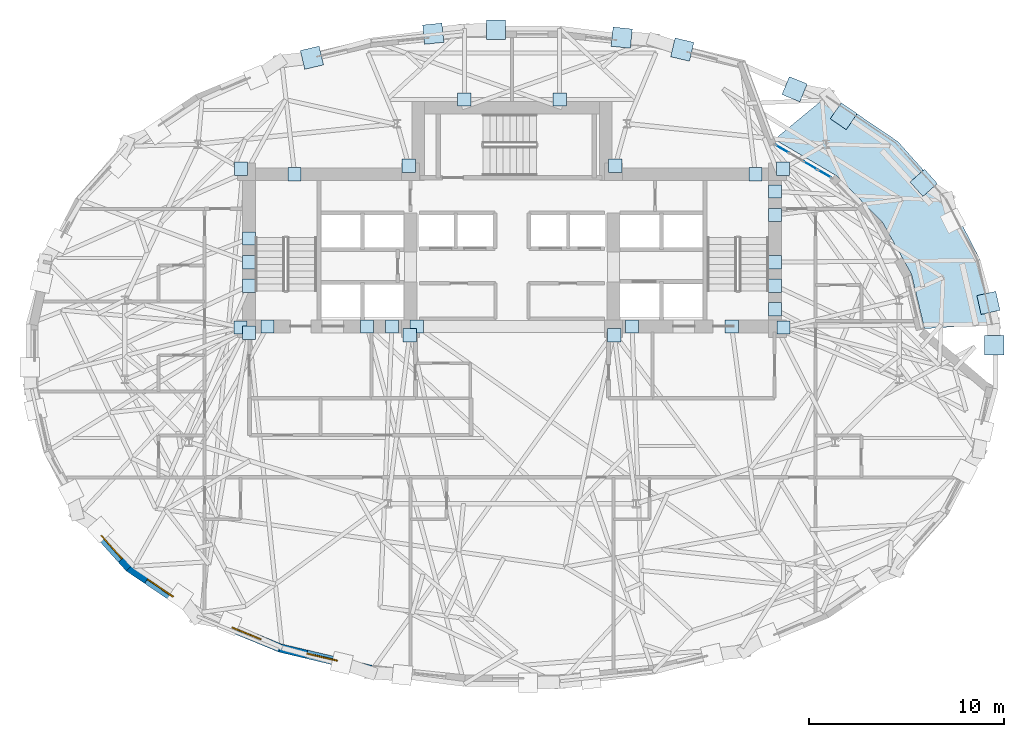
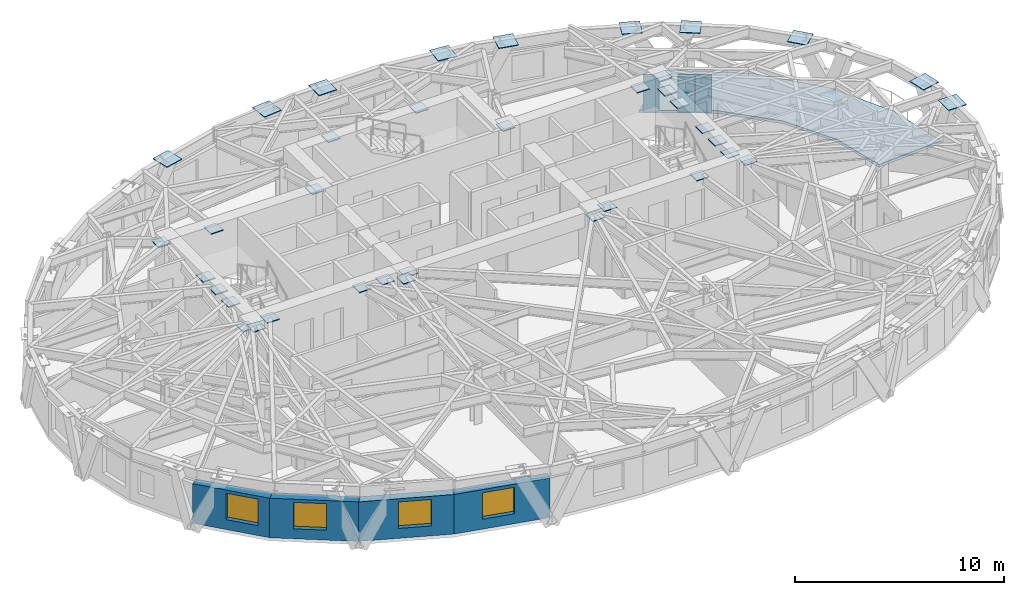
# One storey, part 6 of 15: 40 plates, 4 walls, 4 windows, 1 slab, 4 openings, 1 element without a shape of its own.
"""IFC4 building model written with IfcOpenShell, lengths in metres."""

from ifc_helpers import new_model, si_unit, direction, frame, frame_2d, origin, origin_2d, place, context, subcontext, project, spatial, polyline, rectangle, outline, extrude, material, layer, layer_set, type_object, element, fill, aggregate, save


model = new_model("IFC4")

# Units and contexts
model_context = context("Model", 3, precision=1e-05, world=origin(), true_north=direction((0.0, 1.0)))
body_context = subcontext(model_context, "Body", "Model", "MODEL_VIEW")
ifc_project = project(units=[si_unit("LENGTHUNIT", "METRE"), si_unit("AREAUNIT", "SQUARE_METRE"), si_unit("VOLUMEUNIT", "CUBIC_METRE"), si_unit("PLANEANGLEUNIT", "RADIAN"), si_unit("MASSUNIT", "GRAM", prefix="KILO")], contexts=[model_context])

# Site, building, storey
site_placement = place(None, origin())
site = spatial("IfcSite", under=ifc_project, at=site_placement, CompositionType="ELEMENT")
building_placement = place(site_placement, origin())
building = spatial("IfcBuilding", under=site, at=building_placement, Name="Keldmark Tower", CompositionType="ELEMENT")
storey_placement = place(building_placement, frame((0.0, 0.0, 156.60009765625)))
storey = spatial("IfcBuildingStorey", under=building, at=storey_placement, Name="L42", CompositionType="ELEMENT", Elevation=156.60009765625)

# Plates
ifc_material_1 = material(Name="Steel ASTM A572 Grade 50", Category="steel")
ifc_layer_1 = layer(ifc_material_1, 0.06005859375)
ifc_layer_set_1 = layer_set([ifc_layer_1], Name="Steel ASTM A572 Grade 50")
plate_type_1 = type_object("IfcPlateType", Name="Belt Truss Kink Node Assembly KN01 60 mm", PredefinedType="USERDEFINED", material=ifc_layer_set_1)
for number, where, z_axis, x_axis, name in (
    (1, (13.91162109375, 1.473388671875, 2.72412109375), (0.0, 0.0, 1.0), (1.0, 0.0, 0.0), "L42 Core Wall Cast-In Embed Plate 1238"),
    (2, (13.878173828125, 9.608154296875, 2.72412109375), (0.0, 0.0, 1.0), (1.0, 0.0, 0.0), "L42 Core Wall Cast-In Embed Plate 1239"),
    (3, (5.28515625, 9.758544921875, 2.72412109375), (0.0, 0.0, 1.0), (1.0, 0.0, 0.0), "L42 Core Wall Cast-In Embed Plate 1240"),
    (4, (-5.28515625, 9.758544921875, 2.72412109375), (0.0, 0.0, 1.0), (1.0, 0.0, 0.0), "L42 Core Wall Cast-In Embed Plate 1241"),
    (5, (-13.878173828125, 9.608154296875, 2.72412109375), (0.0, 0.0, 1.0), (1.0, 0.0, 0.0), "L42 Core Wall Cast-In Embed Plate 1242"),
    (6, (-13.91162109375, 1.473388671875, 2.72412109375), (0.0, 0.0, 1.0), (1.0, 0.0, 0.0), "L42 Core Wall Cast-In Embed Plate 1243"),
    (7, (-5.24072265625, 1.08251953125, 2.72412109375), (0.0, 0.0, 1.0), (1.0, 0.0, 0.0), "L42 Core Wall Cast-In Embed Plate 1244"),
    (8, (5.24072265625, 1.08251953125, 2.72412109375), (0.0, 0.0, 1.0), (1.0, 0.0, 0.0), "L42 Core Wall Cast-In Embed Plate 1245"),
    (9, (13.47509765625, 7.235595703125, 2.72412109375), (0.0, 0.0, 1.0), (1.0, 0.0, 0.0), "L42 Core Wall Cast-In Embed Plate 1246"),
    (10, (-13.47509765625, 3.6142578125, 2.72412109375), (0.0, 0.0, 1.0), (1.0, 0.0, 0.0), "L42 Core Wall Cast-In Embed Plate 1247"),
    (11, (11.25, 1.52490234375, 2.72412109375), (0.0, 0.0, 1.0), (1.0, 0.0, 0.0), "L42 Core Wall Cast-In Embed Plate 1248"),
    (12, (13.47509765625, 4.8212890625, 2.72412109375), (0.0, 0.0, 1.0), (1.0, 0.0, 0.0), "L42 Core Wall Cast-In Embed Plate 1249"),
    (13, (13.47509765625, 8.44287109375, 2.72412109375), (0.0, 0.0, 1.0), (1.0, 0.0, 0.0), "L42 Core Wall Cast-In Embed Plate 1250"),
    (14, (12.468017578125, 9.324951171875, 2.72412109375), (0.0, 0.0, 1.0), (1.0, 0.0, 0.0), "L42 Core Wall Cast-In Embed Plate 1251"),
    (15, (-13.47509765625, 6.028564453125, 2.72412109375), (0.0, 0.0, 1.0), (1.0, 0.0, 0.0), "L42 Core Wall Cast-In Embed Plate 1252"),
    (16, (-13.47509765625, 1.199951171875, 2.72412109375), (0.0, 0.0, 1.0), (1.0, 0.0, 0.0), "L42 Core Wall Cast-In Embed Plate 1253"),
    (17, (-12.52490234375, 1.52490234375, 2.72412109375), (0.0, 0.0, 1.0), (1.0, 0.0, 0.0), "L42 Core Wall Cast-In Embed Plate 1254"),
    (18, (-6.14990234375, 1.52490234375, 2.72412109375), (0.0, 0.0, 1.0), (1.0, 0.0, 0.0), "L42 Core Wall Cast-In Embed Plate 1255"),
    (19, (-7.425048828125, 1.52490234375, 2.72412109375), (0.0, 0.0, 1.0), (1.0, 0.0, 0.0), "L42 Core Wall Cast-In Embed Plate 1256"),
    (20, (6.14990234375, 1.52490234375, 2.72412109375), (0.0, 0.0, 1.0), (1.0, 0.0, 0.0), "L42 Core Wall Cast-In Embed Plate 1257"),
    (21, (-4.875, 1.52490234375, 2.72412109375), (0.0, 0.0, 1.0), (1.0, 0.0, 0.0), "L42 Core Wall Cast-In Embed Plate 1258"),
    (22, (13.47509765625, 2.406982421875, 2.72412109375), (0.0, 0.0, 1.0), (1.0, 0.0, 0.0), "L42 Core Wall Cast-In Embed Plate 1259"),
    (23, (13.47509765625, 3.6142578125, 2.72412109375), (0.0, 0.0, 1.0), (1.0, 0.0, 0.0), "L42 Core Wall Cast-In Embed Plate 1260"),
    (24, (2.439208984375, 13.14990234375, 2.72412109375), (0.0, 0.0, 1.0), (1.0, 0.0, 0.0), "L42 Core Wall Cast-In Embed Plate 1261"),
    (25, (-2.439208984375, 13.14990234375, 2.72412109375), (0.0, 0.0, 1.0), (1.0, 0.0, 0.0), "L42 Core Wall Cast-In Embed Plate 1262"),
    (26, (-11.1357421875, 9.324951171875, 2.72412109375), (0.0, 0.0, 1.0), (1.0, 0.0, 0.0), "L42 Core Wall Cast-In Embed Plate 1263"),
    (27, (-13.47509765625, 4.8212890625, 2.72412109375), (0.0, 0.0, 1.0), (1.0, 0.0, 0.0), "L42 Core Wall Cast-In Embed Plate 1264"),
):
    element("IfcPlate", number, at=place(storey_placement, frame(where, z_axis=z_axis, x_axis=x_axis)), inside=storey, type_object=plate_type_1, Name=name, ObjectType="CAP PLATE", PredefinedType="USERDEFINED", context=body_context, shape_type="SweptSolid", body=[
        extrude(rectangle(XDim=0.679931640625, YDim=0.679931640625, at=origin_2d()), origin(), (0.0, 0.0, 1.0), 0.054931640625),
    ])
ifc_material_2 = material(Name="Steel ASTM A572 Grade 50", Category="steel")
ifc_layer_2 = layer(ifc_material_2, 0.044921875)
ifc_layer_set_2 = layer_set([ifc_layer_2], Name="Steel ASTM A572 Grade 50")
plate_type_2 = type_object("IfcPlateType", Name="Diagrid Node Assembly DN04 45 mm", PredefinedType="USERDEFINED", material=ifc_layer_set_2)
for number, where, z_axis, x_axis, name in (
    (28, (24.4033203125, 2.731689453125, 2.87744140625), (0.0, 0.0, 1.0), (-0.218994806262, 0.975726024471, 0.0), "L42 Diagrid Node Assembly 01"),
    (29, (21.08837890625, 8.883056640625, 2.87744140625), (0.0, 0.0, 1.0), (-0.666272209433, 0.745708617985, 0.0), "L42 Diagrid Node Assembly 03"),
    (30, (16.990234375, 12.294677734375, 2.87744140625), (0.0, 0.0, 1.0), (-0.827766671236, 0.56107248907, 0.0), "L42 Diagrid Node Assembly 04"),
    (31, (14.474853515625, 13.677490234375, 2.87744140625), (0.0, 0.0, 1.0), (-0.925077206834, 0.379779095522, 0.0), "L42 Diagrid Node Assembly 05"),
    (32, (8.72265625, 15.707763671875, 2.87744140625), (0.0, 0.0, 1.0), (-0.973178872777, 0.230049737188, 0.0), "L42 Diagrid Node Assembly 06"),
    (33, (5.620361328125, 16.31982421875, 2.87744140625), (0.0, 0.0, 1.0), (-0.994720742649, 0.10261892683, 0.0), "L42 Diagrid Node Assembly 07"),
    (34, (-0.819091796875, 16.728515625, 2.87744140625), (0.0, 0.0, 1.0), (-1.0, 0.0, 0.0), "L42 Diagrid Node Assembly 08"),
    (35, (-4.032470703125, 16.52294921875, 2.87744140625), (0.0, 0.0, 1.0), (-0.994720742649, -0.10261892683, 0.0), "L42 Diagrid Node Assembly 09"),
    (36, (-10.24755859375, 15.2919921875, 2.87744140625), (0.0, 0.0, 1.0), (-0.973178872777, -0.230049737188, 0.0), "L42 Diagrid Node Assembly 10"),
    (37, (24.706298828125, 0.55712890625, 2.87744140625), (0.0, 0.0, 1.0), (0.0, 1.0, 0.0), "L42 Diagrid Node Assembly 32"),
):
    element("IfcPlate", number, at=place(storey_placement, frame(where, z_axis=z_axis, x_axis=x_axis)), inside=storey, type_object=plate_type_2, Name=name, ObjectType="GUSSET", PredefinedType="USERDEFINED", context=body_context, shape_type="SweptSolid", body=[
        extrude(rectangle(XDim=0.989990234375, YDim=0.989990234375, at=origin_2d()), origin(), (0.0, 0.0, 1.0), 0.044921875),
    ])

# Slab
ifc_material_3 = material(Name="Concrete C35/45", Category="concrete")
ifc_layer_3 = layer(ifc_material_3, 0.1650390625)
ifc_layer_set_3 = layer_set([ifc_layer_3], Name="Concrete C35/45")
slab_type = type_object("IfcSlabType", Name="Planted Sky-Garden Terrace Slab 165 mm", PredefinedType="ROOF", material=ifc_layer_set_3)
slab_placement = place(storey_placement, frame((0.0, 0.0, -0.1650390625)))
element("IfcSlab", 38, at=slab_placement, inside=storey, type_object=slab_type, Name="Planted Sky-Garden Terrace Slab", PredefinedType="ROOF", context=body_context, shape_type="SweptSolid", body=[
    extrude(outline(polyline([(24.72119140625, 1.650390625), (23.984375, 4.931884765625), (22.35498046875, 8.099609375), (19.7666015625, 10.99609375), (16.22216796875, 13.39892578125), (13.446533203125, 11.106201171875), (16.62060546875, 9.24609375), (18.970458984375, 6.873291015625), (20.458251953125, 4.206787109375), (21.129150390625, 1.41064453125), (24.72119140625, 1.650390625)])), origin(), (0.0, 0.0, 1.0), 0.1650390625),
])

# Curtain wall, plates
ifc_material_4 = material(Name="Unitized Thermally Broken Aluminum and Triple Low-E Glazing", Category="aluminium")
ifc_layer_4 = layer(ifc_material_4, 0.219970703125)
ifc_layer_set_4 = layer_set([ifc_layer_4], Name="Unitized Thermally Broken Aluminum and Triple Low-E Glazing")
curtain_wall_type = type_object("IfcCurtainWallType", Name="Spiralling Sky-Garden Feature Curtain Wall System", PredefinedType="NOTDEFINED", material=ifc_layer_set_4)
curtain_wall_placement = place(storey_placement, origin())
curtain_wall = element("IfcCurtainWall", 39, at=curtain_wall_placement, inside=storey, type_object=curtain_wall_type, Name="L42 Spiralling Sky-Garden Feature Curtain Wall System CW-L42-04", PredefinedType="NOTDEFINED")
ifc_material_5 = material(Name="Triple Silver Low-E Insulated Glass Unit", Category="glass")
ifc_layer_5 = layer(ifc_material_5, 0.035888671875)
ifc_layer_set_5 = layer_set([ifc_layer_5], Name="Triple Silver Low-E Insulated Glass Unit")
plate_type_3 = type_object("IfcPlateType", Name="Triple Low-E Vision Glazing Panel 36 mm", PredefinedType="CURTAIN_PANEL", material=ifc_layer_set_5)
plate_1_placement = place(storey_placement, frame((13.835693359375, 10.623291015625, 0.06005859375), z_axis=(0.0, 0.0, 1.0), x_axis=(0.862763467357, -0.505607752505, 0.0)))
plate_1 = element("IfcPlate", 40, at=plate_1_placement, type_object=plate_type_3, Name="CW panel 1.1", PredefinedType="CURTAIN_PANEL", context=body_context, shape_type="SweptSolid", body=[
    extrude(rectangle(XDim=0.759765625, YDim=0.035888671875, at=origin_2d()), origin(), (0.0, 0.0, 1.0), 2.195068359375),
])
plate_2_placement = place(storey_placement, frame((15.2890625, 9.771484375, 0.06005859375), z_axis=(0.0, 0.0, 1.0), x_axis=(0.862763467357, -0.505607752505, 0.0)))
plate_2 = element("IfcPlate", 41, at=plate_2_placement, type_object=plate_type_3, Name="CW panel 3.1", PredefinedType="CURTAIN_PANEL", context=body_context, shape_type="SweptSolid", body=[
    extrude(rectangle(XDim=0.789794921875, YDim=0.035888671875, at=origin_2d()), origin(), (0.0, 0.0, 1.0), 2.195068359375),
])
plate_3_placement = place(storey_placement, frame((16.00927734375, 9.349609375, 0.06005859375), z_axis=(0.0, 0.0, 1.0), x_axis=(0.862763467357, -0.505607752505, 0.0)))
plate_3 = element("IfcPlate", 42, at=plate_3_placement, type_object=plate_type_3, Name="CW panel 4.1", PredefinedType="CURTAIN_PANEL", context=body_context, shape_type="SweptSolid", body=[
    extrude(rectangle(XDim=0.759765625, YDim=0.035888671875, at=origin_2d()), origin(), (0.0, 0.0, 1.0), 2.195068359375),
])
aggregate(curtain_wall, [plate_1, plate_2, plate_3])

# Wall, opening, window
ifc_material_6 = material(Name="Ironspot Manganese Brick and Kasota Buff Limestone Spandrel Assembly", Category="masonry")
ifc_layer_6 = layer(ifc_material_6, 0.43994140625)
ifc_layer_set_6 = layer_set([ifc_layer_6], Name="Ironspot Manganese Brick and Kasota Buff Limestone Spandrel Assembly")
wall_type = type_object("IfcWallType", Name="Tower Brick Pier and Spandrel Wall 440 mm", PredefinedType="STANDARD", material=ifc_layer_set_6)
wall_1_placement = place(storey_placement, frame((-19.602783203125, -10.849609375, 0.0), z_axis=(0.0, 0.0, 1.0), x_axis=(-0.666335444554, 0.745652114147, 0.0)))
wall_1 = element("IfcWall", 43, at=wall_1_placement, inside=storey, type_object=wall_type, Name="L42 Exterior Brick and Spandrel Wall 19", PredefinedType="STANDARD", context=body_context, shape_type="SweptSolid", body=[
    extrude(rectangle(XDim=3.884521484375, YDim=0.43994140625, at=frame_2d((1.9423828125, 0.0))), origin(), (0.0, 0.0, 1.0), 2.31494140625),
])
opening_1_placement = place(wall_1_placement, frame((0.5966796875, 0.0, 0.580078125)))
opening_1 = element("IfcOpeningElement", 44, at=opening_1_placement, cuts=wall_1, Name="Opening W-04", PredefinedType="OPENING", context=body_context, shape_type="SweptSolid", body=[
    extrude(rectangle(XDim=1.60009765625, YDim=1.550048828125, at=frame_2d((0.800048828125, 0.77490234375))), frame((0.0, 0.22998046875, 0.0), z_axis=(0.0, -1.0, 0.0), x_axis=(1.0, 0.0, 0.0)), (0.0, 0.0, 1.0), 0.4599609375),
])
ifc_material_7 = material(Name="Thermally Broken Anodized Aluminum and Triple Low-E Argon Glazing", Category="aluminium")
window_type = type_object("IfcWindowType", Name="Hotel Deep-Set Operable Window 1600x1550", PartitioningType="DOUBLE_PANEL_HORIZONTAL", PredefinedType="WINDOW", material=ifc_material_7)
window_1_placement = place(opening_1_placement, origin())
window_1 = element("IfcWindow", 45, at=window_1_placement, inside=storey, type_object=window_type, Name="L42 Deep-Set Window 19", OverallHeight=1.550048828125, OverallWidth=1.60009765625, PartitioningType="SINGLE_PANEL", PredefinedType="WINDOW", context=body_context, shape_type="SweptSolid", body=[
    extrude(rectangle(XDim=1.60009765625, YDim=1.550048828125, at=frame_2d((0.800048828125, 0.77490234375))), frame((0.0, -0.010009765625, 0.0), z_axis=(0.0, -1.0, 0.0), x_axis=(1.0, 0.0, 0.0)), (0.0, 0.0, 1.0), 0.06005859375),
])
fill(opening_1, window_1)

wall_2_placement = place(storey_placement, frame((-16.0986328125, -13.216796875, 0.0), z_axis=(0.0, 0.0, 1.0), x_axis=(-0.827771778383, 0.561064954272, 0.0)))
wall_2 = element("IfcWall", 46, at=wall_2_placement, inside=storey, type_object=wall_type, Name="L42 Exterior Brick and Spandrel Wall 20", PredefinedType="STANDARD", context=body_context, shape_type="SweptSolid", body=[
    extrude(rectangle(XDim=4.2822265625, YDim=0.43994140625, at=frame_2d((2.14111328125, 0.0))), origin(), (0.0, 0.0, 1.0), 2.31494140625),
])
opening_2_placement = place(wall_2_placement, frame((1.53955078125, 0.0, 0.580078125)))
opening_2 = element("IfcOpeningElement", 47, at=opening_2_placement, cuts=wall_2, Name="Opening W-04", PredefinedType="OPENING", context=body_context, shape_type="SweptSolid", body=[
    extrude(rectangle(XDim=1.60009765625, YDim=1.550048828125, at=frame_2d((0.800048828125, 0.77490234375))), frame((0.0, 0.22998046875, 0.0), z_axis=(0.0, -1.0, 0.0), x_axis=(1.0, 0.0, 0.0)), (0.0, 0.0, 1.0), 0.4599609375),
])
window_2_placement = place(opening_2_placement, origin())
window_2 = element("IfcWindow", 48, at=window_2_placement, inside=storey, type_object=window_type, Name="L42 Deep-Set Window 20", OverallHeight=1.550048828125, OverallWidth=1.60009765625, PartitioningType="SINGLE_PANEL", PredefinedType="WINDOW", context=body_context, shape_type="SweptSolid", body=[
    extrude(rectangle(XDim=1.60009765625, YDim=1.550048828125, at=frame_2d((0.800048828125, 0.77490234375))), frame((0.0, -0.010009765625, 0.0), z_axis=(0.0, -1.0, 0.0), x_axis=(1.0, 0.0, 0.0)), (0.0, 0.0, 1.0), 0.06005859375),
])
fill(opening_2, window_2)

wall_3_placement = place(storey_placement, frame((-11.865478515625, -14.949951171875, 0.0), z_axis=(0.0, 0.0, 1.0), x_axis=(-0.925044361302, 0.3798590918, 0.0)))
wall_3 = element("IfcWall", 49, at=wall_3_placement, inside=storey, type_object=wall_type, Name="L42 Exterior Brick and Spandrel Wall 21", PredefinedType="STANDARD", context=body_context, shape_type="SweptSolid", body=[
    extrude(rectangle(XDim=4.619140625, YDim=0.43994140625, at=frame_2d((2.3095703125, 0.0))), origin(), (0.0, 0.0, 1.0), 2.31494140625),
])
opening_3_placement = place(wall_3_placement, frame((1.089599609375, 0.0, 0.580078125)))
opening_3 = element("IfcOpeningElement", 50, at=opening_3_placement, cuts=wall_3, Name="Opening W-04", PredefinedType="OPENING", context=body_context, shape_type="SweptSolid", body=[
    extrude(rectangle(XDim=1.60009765625, YDim=1.550048828125, at=frame_2d((0.800048828125, 0.77490234375))), frame((0.0, 0.22998046875, 0.0), z_axis=(0.0, -1.0, 0.0), x_axis=(1.0, 0.0, 0.0)), (0.0, 0.0, 1.0), 0.4599609375),
])
window_3_placement = place(opening_3_placement, origin())
window_3 = element("IfcWindow", 51, at=window_3_placement, inside=storey, type_object=window_type, Name="L42 Deep-Set Window 21", OverallHeight=1.550048828125, OverallWidth=1.60009765625, PartitioningType="SINGLE_PANEL", PredefinedType="WINDOW", context=body_context, shape_type="SweptSolid", body=[
    extrude(rectangle(XDim=1.60009765625, YDim=1.550048828125, at=frame_2d((0.800048828125, 0.77490234375))), frame((0.0, -0.010009765625, 0.0), z_axis=(0.0, -1.0, 0.0), x_axis=(1.0, 0.0, 0.0)), (0.0, 0.0, 1.0), 0.06005859375),
])
fill(opening_3, window_3)

wall_4_placement = place(storey_placement, frame((-7.22509765625, -16.043701171875, 0.0), z_axis=(0.0, 0.0, 1.0), x_axis=(-0.973201371538, 0.229954539936, 0.0)))
wall_4 = element("IfcWall", 52, at=wall_4_placement, inside=storey, type_object=wall_type, Name="L42 Exterior Brick and Spandrel Wall 22", PredefinedType="STANDARD", context=body_context, shape_type="SweptSolid", body=[
    extrude(rectangle(XDim=4.802001953125, YDim=0.43994140625, at=frame_2d((2.40087890625, 0.0))), origin(), (0.0, 0.0, 1.0), 2.31494140625),
])
opening_4_placement = place(wall_4_placement, frame((1.773193359375, 0.0, 0.580078125)))
opening_4 = element("IfcOpeningElement", 53, at=opening_4_placement, cuts=wall_4, Name="Opening W-04", PredefinedType="OPENING", context=body_context, shape_type="SweptSolid", body=[
    extrude(rectangle(XDim=1.60009765625, YDim=1.550048828125, at=frame_2d((0.800048828125, 0.77490234375))), frame((0.0, 0.22998046875, 0.0), z_axis=(0.0, -1.0, 0.0), x_axis=(1.0, 0.0, 0.0)), (0.0, 0.0, 1.0), 0.4599609375),
])
window_4_placement = place(opening_4_placement, origin())
window_4 = element("IfcWindow", 54, at=window_4_placement, inside=storey, type_object=window_type, Name="L42 Deep-Set Window 22", OverallHeight=1.550048828125, OverallWidth=1.60009765625, PartitioningType="SINGLE_PANEL", PredefinedType="WINDOW", context=body_context, shape_type="SweptSolid", body=[
    extrude(rectangle(XDim=1.60009765625, YDim=1.550048828125, at=frame_2d((0.800048828125, 0.77490234375))), frame((0.0, -0.010009765625, 0.0), z_axis=(0.0, -1.0, 0.0), x_axis=(1.0, 0.0, 0.0)), (0.0, 0.0, 1.0), 0.06005859375),
])
fill(opening_4, window_4)

save(model, "model.ifc")
